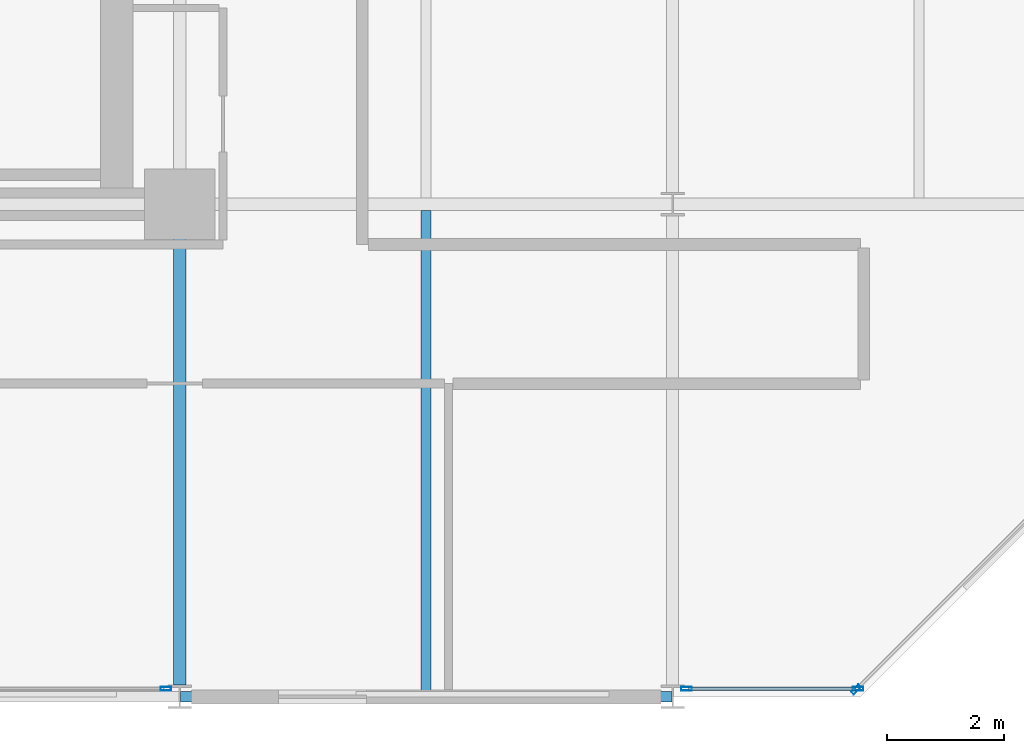
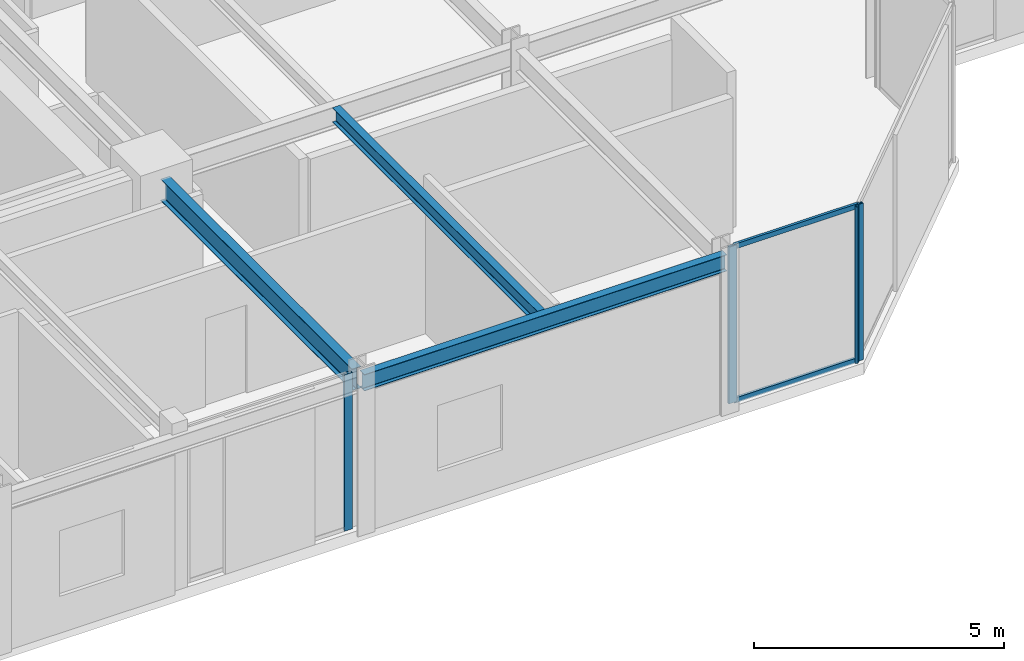
# One storey, part 16 of 38: 6 members, 3 beams, 3 elements without a shape of their own.
"""IFC4 building model written with IfcOpenShell, lengths in metres."""

from ifc_helpers import new_model, si_unit, direction, frame, origin, origin_2d, place, context, subcontext, project, spatial, hollow_rectangle, i_section, extrude, material, layer, layer_set, material_profile, profile_set, type_object, element, aggregate, save


model = new_model("IFC4")

# Units and contexts
model_context = context("Model", 3, precision=1e-05, world=origin(), true_north=direction((0.0, 1.0)))
body_context = subcontext(model_context, "Body", "Model", "MODEL_VIEW")
ifc_project = project(units=[si_unit("LENGTHUNIT", "METRE"), si_unit("AREAUNIT", "SQUARE_METRE"), si_unit("VOLUMEUNIT", "CUBIC_METRE"), si_unit("PLANEANGLEUNIT", "RADIAN"), si_unit("MASSUNIT", "GRAM", prefix="KILO")], contexts=[model_context])

# Site, building, storey
site_placement = place(None, origin())
site = spatial("IfcSite", under=ifc_project, at=site_placement, CompositionType="ELEMENT")
building_placement = place(site_placement, origin())
building = spatial("IfcBuilding", under=site, at=building_placement, Name="Nerrivon Quay Data Exchange", CompositionType="ELEMENT")
storey_placement = place(building_placement, frame((0.0, 0.0, 88.5)))
storey = spatial("IfcBuildingStorey", under=building, at=storey_placement, Name="L20", CompositionType="ELEMENT", Elevation=88.5)

# Beams
ifc_material_1 = material(Name="Steel Grade 350", Category="steel")
ifc_material_profile_1 = material_profile(ifc_material_1, i_section(OverallWidth=0.208984375, OverallDepth=0.528076171875, WebThickness=0.009521484375, FlangeThickness=0.01318359375, FilletRadius=0.013916015625, at=origin_2d()), Name="530UB82.0")
ifc_profile_set_1 = profile_set([ifc_material_profile_1], Name="Steel Grade 350")
beam_type_1 = type_object("IfcBeamType", Name="BM-G4-530UB82", PredefinedType="BEAM", material=ifc_profile_set_1)
beam_1_placement = place(storey_placement, frame((33.60009765625, 0.199951171875, 3.56103515625), z_axis=(0.0, 1.0, 0.0), x_axis=(-1.0, 0.0, 0.0)))
element("IfcBeam", 1, at=beam_1_placement, inside=storey, type_object=beam_type_1, Name="L20 NS Girder X=33.6 (0.0..8.4)", PredefinedType="BEAM", context=body_context, shape_type="SweptSolid", body=[
    extrude(i_section(OverallWidth=0.208984375, OverallDepth=0.528076171875, WebThickness=0.009521484375, FlangeThickness=0.01318359375, FilletRadius=0.013916015625, at=origin_2d()), origin(), (0.0, 0.0, 1.0), 7.66015625),
])
ifc_material_profile_2 = material_profile(ifc_material_1, i_section(OverallWidth=0.1708984375, OverallDepth=0.35595703125, WebThickness=0.00732421875, FlangeThickness=0.011474609375, FilletRadius=0.011474609375, at=origin_2d()), Name="360UB50.7")
ifc_profile_set_2 = profile_set([ifc_material_profile_2], Name="Steel Grade 350")
beam_type_2 = type_object("IfcBeamType", Name="BM-J4-360UB51", PredefinedType="JOIST", material=ifc_profile_set_2)
beam_2_placement = place(storey_placement, frame((37.800048828125, 0.089111328125, 3.64697265625), z_axis=(0.0, 1.0, 0.0), x_axis=(-1.0, 0.0, 0.0)))
element("IfcBeam", 2, at=beam_2_placement, inside=storey, type_object=beam_type_2, Name="L20 Secondary Joist X=37.8 (0.0..8.4)", PredefinedType="JOIST", context=body_context, shape_type="SweptSolid", body=[
    extrude(i_section(OverallWidth=0.1708984375, OverallDepth=0.35595703125, WebThickness=0.00732421875, FlangeThickness=0.011474609375, FilletRadius=0.011474609375, at=origin_2d()), origin(), (0.0, 0.0, 1.0), 8.206298828125),
])
ifc_material_profile_3 = material_profile(ifc_material_1, i_section(OverallWidth=0.177978515625, OverallDepth=0.403076171875, WebThickness=0.007568359375, FlangeThickness=0.010986328125, FilletRadius=0.011474609375, at=origin_2d()), Name="410UB53.7")
ifc_profile_set_3 = profile_set([ifc_material_profile_3], Name="Steel Grade 350")
beam_type_3 = type_object("IfcBeamType", Name="BM-SP2-410UB54", PredefinedType="SPANDREL", material=ifc_profile_set_3)
beam_3_placement = place(storey_placement, frame((33.612548828125, 0.0, 3.62353515625), z_axis=(1.0, 0.0, 0.0), x_axis=(0.0, 1.0, 0.0)))
element("IfcBeam", 3, at=beam_3_placement, inside=storey, type_object=beam_type_3, Name="L20 EW Girder Y=0.0 (33.6..42.0)", PredefinedType="SPANDREL", context=body_context, shape_type="SweptSolid", body=[
    extrude(i_section(OverallWidth=0.177978515625, OverallDepth=0.403076171875, WebThickness=0.007568359375, FlangeThickness=0.010986328125, FilletRadius=0.011474609375, at=origin_2d()), origin(), (0.0, 0.0, 1.0), 8.375),
])

# Curtain wall, member
ifc_material_2 = material(Name="Anodised aluminium 6063-T6", Category="aluminium")
ifc_layer = layer(ifc_material_2, 0.2099609375)
ifc_layer_set = layer_set([ifc_layer], Name="Anodised aluminium 6063-T6")
curtain_wall_type = type_object("IfcCurtainWallType", Name="CW-SYS-02", PredefinedType="NOTDEFINED", material=ifc_layer_set)
curtain_wall_1_placement = place(storey_placement, origin())
curtain_wall_1 = element("IfcCurtainWall", 4, at=curtain_wall_1_placement, inside=storey, type_object=curtain_wall_type, Name="L20 Unitised Curtain Wall 5", PredefinedType="NOTDEFINED")
ifc_material_profile_4 = material_profile(ifc_material_2, hollow_rectangle(XDim=0.06494140625, YDim=0.179931640625, WallThickness=0.00341796875, at=origin_2d()), Name="ALU-MULL-180x65")
ifc_profile_set_4 = profile_set([ifc_material_profile_4], Name="Anodised aluminium 6063-T6")
member_type_1 = type_object("IfcMemberType", Name="CWM-180x65", PredefinedType="MULLION", material=ifc_profile_set_4)
member_1_placement = place(storey_placement, frame((45.12744140625, 0.12548828125, 0.0), z_axis=(0.0, 0.0, 1.0), x_axis=(0.707106781187, -0.707106781187, 0.0)))
member_1 = element("IfcMember", 5, at=member_1_placement, type_object=member_type_1, Name="CW02 mullion 2", PredefinedType="MULLION", context=body_context, shape_type="SweptSolid", body=[
    extrude(hollow_rectangle(XDim=0.06494140625, YDim=0.179931640625, WallThickness=0.00341796875, at=origin_2d()), origin(), (0.0, 0.0, 1.0), 3.824951171875),
])
aggregate(curtain_wall_1, [member_1])

# Curtain wall, members
curtain_wall_2_placement = place(storey_placement, origin())
curtain_wall_2 = element("IfcCurtainWall", 6, at=curtain_wall_2_placement, inside=storey, type_object=curtain_wall_type, Name="L20 Unitised Curtain Wall 6", PredefinedType="NOTDEFINED")
member_2_placement = place(storey_placement, frame((45.16259765625, 0.139892578125, 0.0), z_axis=(0.0, 0.0, 1.0), x_axis=(0.0, -1.0, 0.0)))
member_2 = element("IfcMember", 7, at=member_2_placement, type_object=member_type_1, Name="CW02 mullion 1", PredefinedType="MULLION", context=body_context, shape_type="SweptSolid", body=[
    extrude(hollow_rectangle(XDim=0.06494140625, YDim=0.179931640625, WallThickness=0.00341796875, at=origin_2d()), origin(), (0.0, 0.0, 1.0), 3.824951171875),
])
member_3_placement = place(storey_placement, frame((42.237548828125, 0.139892578125, 0.0), z_axis=(0.0, 0.0, 1.0), x_axis=(0.0, -1.0, 0.0)))
member_3 = element("IfcMember", 8, at=member_3_placement, type_object=member_type_1, Name="CW02 mullion 2", PredefinedType="MULLION", context=body_context, shape_type="SweptSolid", body=[
    extrude(hollow_rectangle(XDim=0.06494140625, YDim=0.179931640625, WallThickness=0.00341796875, at=origin_2d()), origin(), (0.0, 0.0, 1.0), 3.824951171875),
])

# Curtain wall, member
curtain_wall_3_placement = place(storey_placement, origin())
curtain_wall_3 = element("IfcCurtainWall", 9, at=curtain_wall_3_placement, inside=storey, type_object=curtain_wall_type, Name="L20 Unitised Curtain Wall 8", PredefinedType="NOTDEFINED")
member_4_placement = place(storey_placement, frame((33.362548828125, 0.139892578125, 0.0), z_axis=(0.0, 0.0, 1.0), x_axis=(0.0, -1.0, 0.0)))
member_4 = element("IfcMember", 10, at=member_4_placement, type_object=member_type_1, Name="CW02 mullion 1", PredefinedType="MULLION", context=body_context, shape_type="SweptSolid", body=[
    extrude(hollow_rectangle(XDim=0.06494140625, YDim=0.179931640625, WallThickness=0.00341796875, at=origin_2d()), origin(), (0.0, 0.0, 1.0), 3.824951171875),
])
aggregate(curtain_wall_3, [member_4])

# Member
ifc_material_profile_5 = material_profile(ifc_material_2, hollow_rectangle(XDim=0.06005859375, YDim=0.1201171875, WallThickness=0.003173828125, at=origin_2d()), Name="ALU-TRAN-120x60")
ifc_profile_set_5 = profile_set([ifc_material_profile_5], Name="Anodised aluminium 6063-T6")
member_type_2 = type_object("IfcMemberType", Name="CWT-120x60", PredefinedType="USERDEFINED", material=ifc_profile_set_5)
member_5_placement = place(storey_placement, frame((45.125, 0.139892578125, 0.032470703125), z_axis=(-1.0, 0.0, 0.0), x_axis=(0.0, -1.0, 0.0)))
member_5 = element("IfcMember", 11, at=member_5_placement, type_object=member_type_2, Name="CW02 transom 1.1", ObjectType="TRANSOM", PredefinedType="USERDEFINED", context=body_context, shape_type="SweptSolid", body=[
    extrude(hollow_rectangle(XDim=0.06005859375, YDim=0.1201171875, WallThickness=0.003173828125, at=origin_2d()), origin(), (0.0, 0.0, 1.0), 2.85009765625),
])

member_6_placement = place(storey_placement, frame((45.125, 0.139892578125, 3.79248046875), z_axis=(-1.0, 0.0, 0.0), x_axis=(0.0, -1.0, 0.0)))
member_6 = element("IfcMember", 12, at=member_6_placement, type_object=member_type_2, Name="CW02 transom 1.2", ObjectType="TRANSOM", PredefinedType="USERDEFINED", context=body_context, shape_type="SweptSolid", body=[
    extrude(hollow_rectangle(XDim=0.06005859375, YDim=0.1201171875, WallThickness=0.003173828125, at=origin_2d()), origin(), (0.0, 0.0, 1.0), 2.85009765625),
])

aggregate(curtain_wall_2, [member_2, member_3, member_5, member_6])

save(model, "model.ifc")
